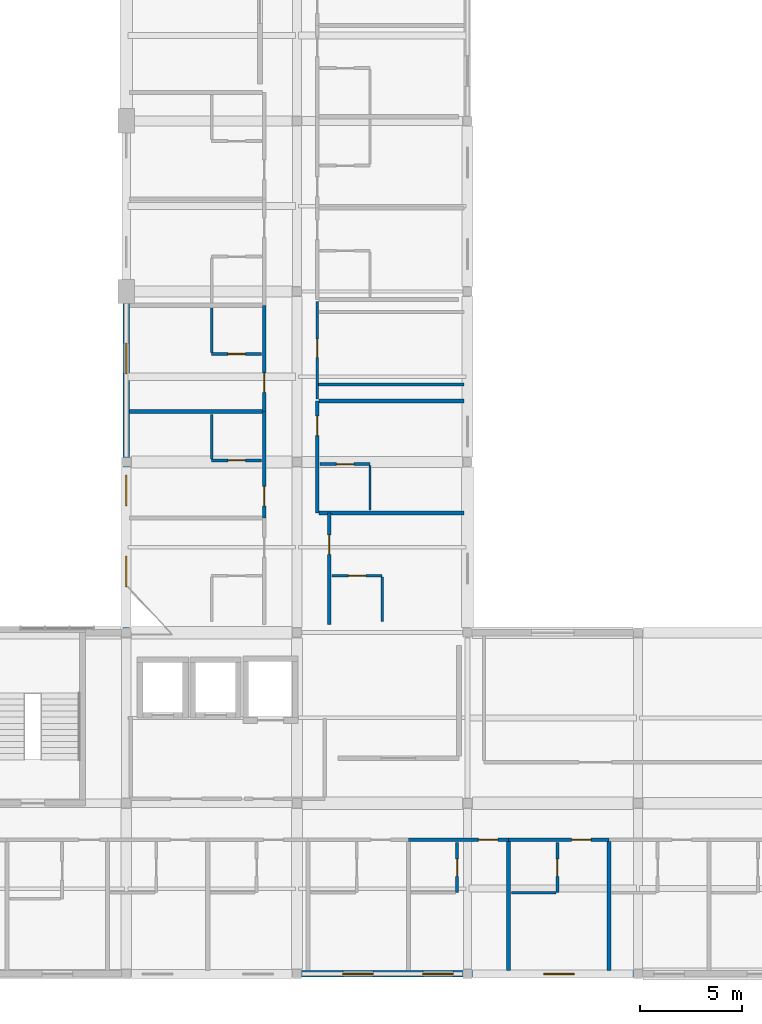
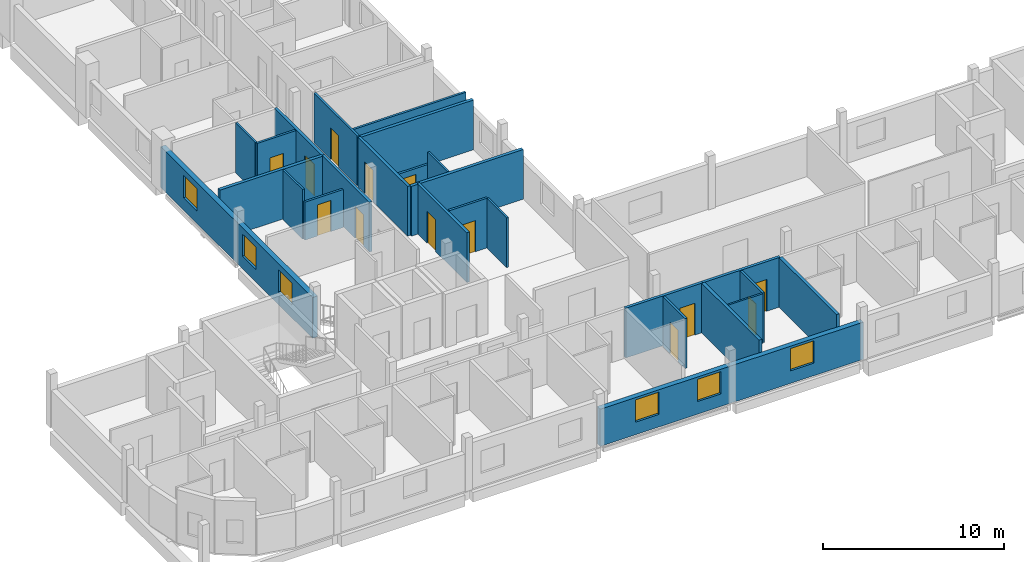
# One storey, part 11 of 19: 26 walls, 13 doors, 6 windows, 19 openings.
"""IFC4 building model written with IfcOpenShell, lengths in metres."""

import ifcopenshell
import ifcopenshell.guid

model = None  # the IFC model being written
_history = None  # IfcOwnerHistory: only IFC2X3 demands one
_inside = {}  # id of a spatial element -> (the spatial element, [elements in it])
_under = {}  # id of a project, library or spatial element -> (it, [spatial elements below it])
_declared = {}  # id of a project -> (the project, [libraries it declares])
_typed = {}  # id of a type object -> (the type object, [elements of that type])
_made_of = {}  # id of a material, layer set ... -> (it, [elements and type objects made of it])


def new_model(schema):
    """Start an empty IFC model of exactly this schema.

    Asked for "IFC4X3", IfcOpenShell would pick the latest addendum, in which some entities
    have other attributes; the version numbers below select the first issue.
    IFC2X3 requires an IfcOwnerHistory on every rooted entity: one is made here for all.
    """
    global model, _history
    if schema == "IFC4X3":
        model = ifcopenshell.file(schema_version=(4, 3, 0, 0))
    else:
        model = ifcopenshell.file(schema=schema)
    _inside.clear()
    _under.clear()
    _declared.clear()
    _typed.clear()
    _made_of.clear()
    _history = None
    if model.schema == "IFC2X3":
        org = make("IfcOrganization", Name="unknown")
        user = make(
            "IfcPersonAndOrganization",
            ThePerson=make("IfcPerson", FamilyName="unknown"),
            TheOrganization=org,
        )
        app = make(
            "IfcApplication",
            ApplicationDeveloper=org,
            Version="unknown",
            ApplicationFullName="unknown",
            ApplicationIdentifier="unknown",
        )
        _history = make(
            "IfcOwnerHistory",
            OwningUser=user,
            OwningApplication=app,
            ChangeAction="ADDED",
            CreationDate=0,
        )
    return model


def make(cls, **values):
    """One entity of the class cls with the attributes given. An attribute that is None is left unset."""
    return model.create_entity(
        cls, **{name: value for name, value in values.items() if value is not None}
    )


def rooted(cls, **values):
    """An entity with a GlobalId (a new one), such as an element, a storey or a relation."""
    return make(cls, GlobalId=ifcopenshell.guid.new(), OwnerHistory=_history, **values)


def si_unit(unit_type, name, prefix=None):
    """IfcSIUnit, for example si_unit("LENGTHUNIT", "METRE", prefix="MILLI")."""
    return make("IfcSIUnit", UnitType=unit_type, Prefix=prefix, Name=name)


def derived_unit(unit_type, elements):
    """IfcDerivedUnit: a product of units, each with its exponent."""
    return make(
        "IfcDerivedUnit",
        Elements=[
            make("IfcDerivedUnitElement", Unit=unit, Exponent=power)
            for unit, power in elements
        ],
        UnitType=unit_type,
    )


def assignment(units):
    """IfcUnitAssignment: the units of a project."""
    return None if units is None else make("IfcUnitAssignment", Units=units)


def point(xyz):
    """IfcCartesianPoint."""
    return None if xyz is None else make("IfcCartesianPoint", Coordinates=xyz)


def direction(xyz):
    """IfcDirection."""
    return None if xyz is None else make("IfcDirection", DirectionRatios=xyz)


def frame(location, z_axis=None, x_axis=None):
    """IfcAxis2Placement3D, a coordinate frame: its origin and axes. An axis left out is left unset."""
    return make(
        "IfcAxis2Placement3D",
        Location=point(location),
        Axis=direction(z_axis),
        RefDirection=direction(x_axis),
    )


def frame_2d(location, x_axis=None):
    """IfcAxis2Placement2D, a coordinate frame in the plane: its origin and x axis."""
    return make(
        "IfcAxis2Placement2D", Location=point(location), RefDirection=direction(x_axis)
    )


def origin():
    """The frame at (0, 0, 0) with its axes left unset."""
    return frame((0.0, 0.0, 0.0))


def place(relative_to, where):
    """IfcLocalPlacement: puts the frame where relative to a parent placement (None: the world)."""
    return make(
        "IfcLocalPlacement", PlacementRelTo=relative_to, RelativePlacement=where
    )


def context(
    kind, dimensions, precision=None, world=None, true_north=None, identifier=None
):
    """IfcGeometricRepresentationContext, for example the 3D "Model" context."""
    return make(
        "IfcGeometricRepresentationContext",
        ContextIdentifier=identifier,
        ContextType=kind,
        CoordinateSpaceDimension=dimensions,
        Precision=precision,
        WorldCoordinateSystem=world,
        TrueNorth=true_north,
    )


def subcontext(parent, identifier, kind, view, scale=None):
    """IfcGeometricRepresentationSubContext, for example "Body" below "Model"."""
    return make(
        "IfcGeometricRepresentationSubContext",
        ContextIdentifier=identifier,
        ContextType=kind,
        ParentContext=parent,
        TargetScale=scale,
        TargetView=view,
    )


def project(units=None, contexts=None):
    """IfcProject with its units and contexts."""
    return rooted(
        "IfcProject",
        Name="project",
        RepresentationContexts=contexts,
        UnitsInContext=assignment(units),
    )


def spatial(cls, under=None, at=None, **own):
    """A site, building, storey or space (cls), placed at a placement, below another one or the project."""
    s = rooted(cls, ObjectPlacement=at, **own)
    if under is not None:
        _under.setdefault(under.id(), (under, []))[1].append(s)
    return s


def profile(cls, at=None, kind="AREA", **sizes):
    """A parametric profile (cls). Its sizes go by their IFC names, for example OverallWidth=200.0."""
    return make(cls, ProfileType=kind, Position=at, **sizes)


def rectangle(**sizes):
    """IfcRectangleProfileDef."""
    return profile("IfcRectangleProfileDef", **sizes)


def extrude(swept, where, along, depth):
    """IfcExtrudedAreaSolid: the profile swept, set in the frame where, extruded along a direction by depth."""
    return make(
        "IfcExtrudedAreaSolid",
        SweptArea=swept,
        Position=where,
        ExtrudedDirection=direction(along),
        Depth=depth,
    )


def shape(context_of_items, identifier, shape_type, items):
    """IfcShapeRepresentation: the items that make up one representation, for example the "Body"."""
    return make(
        "IfcShapeRepresentation",
        ContextOfItems=context_of_items,
        RepresentationIdentifier=identifier,
        RepresentationType=shape_type,
        Items=items,
    )


def material(Name=None, Category=None):
    """IfcMaterial."""
    return make("IfcMaterial", Name=Name, Category=Category)


def layer(
    of_material, thickness, ventilated=None, Name=None, Category=None, Priority=None
):
    """IfcMaterialLayer: one layer of a wall or slab, of a material (None: an air gap)."""
    return make(
        "IfcMaterialLayer",
        Material=of_material,
        LayerThickness=thickness,
        IsVentilated=ventilated,
        Name=Name,
        Category=Category,
        Priority=Priority,
    )


def layer_set(layers, Name=None):
    """IfcMaterialLayerSet."""
    return make("IfcMaterialLayerSet", MaterialLayers=layers, LayerSetName=Name)


def made_of(thing, what):
    """Note that an element or type object is made of a material, layer set ...; save() writes the relation."""
    if what is not None:
        _made_of.setdefault(what.id(), (what, []))[1].append(thing)
    return thing


def type_object(cls, material=None, **own):
    """A type object (cls), such as IfcWallType, which elements share."""
    return made_of(rooted(cls, **own), material)


def element(
    cls,
    number,
    at=None,
    inside=None,
    cuts=None,
    type_object=None,
    material=None,
    context=None,
    identifier="Body",
    shape_type=None,
    held_by="IfcProductDefinitionShape",
    body=None,
    shapes=None,
    **own,
):
    """One element of the class cls, such as IfcWall. Its Tag is "e" and its number.

    at: its placement. inside: the storey or other place that contains it. cuts: it is an
    opening in that element (IfcRelVoidsElement). A single representation is given by context,
    identifier, shape_type and body (its items); several are given by shapes. held_by: the class
    of the entity that holds the representations. save() writes the other relations.
    """
    e = rooted(cls, Tag="e%d" % number, ObjectPlacement=at, **own)
    if body is not None:
        shapes = [shape(context, identifier, shape_type, body)]
    if shapes is not None:
        e.Representation = make(held_by, Representations=shapes)
    if inside is not None:
        _inside.setdefault(inside.id(), (inside, []))[1].append(e)
    if cuts is not None:
        rooted(
            "IfcRelVoidsElement", RelatingBuildingElement=cuts, RelatedOpeningElement=e
        )
    if type_object is not None:
        _typed.setdefault(type_object.id(), (type_object, []))[1].append(e)
    return made_of(e, material)


def fill(opening, filler):
    """IfcRelFillsElement: the door or window that sits in an opening."""
    return rooted(
        "IfcRelFillsElement",
        RelatingOpeningElement=opening,
        RelatedBuildingElement=filler,
    )


def aggregate(whole, parts):
    """IfcRelAggregates: a whole, such as a stair, and the parts it consists of."""
    return rooted("IfcRelAggregates", RelatingObject=whole, RelatedObjects=parts)


def save(model, path):
    """Write the relations noted so far, then the file.

    IfcRelAggregates (storeys below a building ...), IfcRelContainedInSpatialStructure (elements
    in a storey), IfcRelDefinesByType, IfcRelAssociatesMaterial and IfcRelDeclares: one each for
    every whole, place, type object, material and project.
    """
    for whole, parts in _under.values():
        aggregate(whole, parts)
    for where, things in _inside.values():
        rooted(
            "IfcRelContainedInSpatialStructure",
            RelatedElements=things,
            RelatingStructure=where,
        )
    for kind, things in _typed.values():
        rooted("IfcRelDefinesByType", RelatedObjects=things, RelatingType=kind)
    for what, things in _made_of.values():
        rooted("IfcRelAssociatesMaterial", RelatedObjects=things, RelatingMaterial=what)
    for by, libraries in _declared.values():
        rooted("IfcRelDeclares", RelatingContext=by, RelatedDefinitions=libraries)
    model.write(path)


model = new_model("IFC4")

# Units and contexts
model_context = context("Model", 3, precision=1e-05, world=origin(), true_north=direction((0.0, 1.0)))
body_context = subcontext(model_context, "Body", "Model", "MODEL_VIEW")
ifc_project = project(units=[si_unit("LENGTHUNIT", "METRE"), si_unit("AREAUNIT", "SQUARE_METRE"), si_unit("VOLUMEUNIT", "CUBIC_METRE"), si_unit("PLANEANGLEUNIT", "RADIAN"), si_unit("MASSUNIT", "GRAM", prefix="KILO"), derived_unit("THERMALTRANSMITTANCEUNIT", [(si_unit("POWERUNIT", "WATT"), 1), (si_unit("LENGTHUNIT", "METRE"), -2), (si_unit("THERMODYNAMICTEMPERATUREUNIT", "KELVIN"), -1)])], contexts=[model_context])

# Site, building, storey
site_placement = place(None, origin())
site = spatial("IfcSite", under=ifc_project, at=site_placement, CompositionType="ELEMENT")
building_placement = place(site_placement, origin())
building = spatial("IfcBuilding", under=site, at=building_placement, Name="Barrovel Congress Hotel", CompositionType="ELEMENT")
storey_placement = place(building_placement, frame((0.0, 0.0, 43.5)))
storey = spatial("IfcBuildingStorey", under=building, at=storey_placement, Name="L11", CompositionType="ELEMENT", Elevation=43.5)

# Wall, openings, windows
ifc_material_1 = material(Name="Fired Clay Brick Masonry", Category="masonry")
ifc_layer_1 = layer(ifc_material_1, 0.320068359375)
ifc_layer_set_1 = layer_set([ifc_layer_1], Name="Fired Clay Brick Masonry")
wall_type_1 = type_object("IfcWallType", Name="EW-BRK320", PredefinedType="STANDARD", material=ifc_layer_set_1)
wall_1_placement = place(storey_placement, frame((42.0, 4.199951171875, 0.0), z_axis=(0.0, 0.0, 1.0), x_axis=(1.0, 0.0, 0.0)))
wall_1 = element("IfcWall", 1, at=wall_1_placement, inside=storey, type_object=wall_type_1, Name="EW:L11:HS-S", PredefinedType="STANDARD", context=body_context, shape_type="SweptSolid", body=[
    extrude(rectangle(XDim=16.800048828125, YDim=0.320068359375, at=frame_2d((8.39990234375, 0.0))), origin(), (0.0, 0.0, 1.0), 2.510009765625),
])
opening_1_placement = place(wall_1_placement, frame((2.268798828125, 0.0, 0.85009765625)))
opening_1 = element("IfcOpeningElement", 2, at=opening_1_placement, cuts=wall_1, Name="Opening WN-07", PredefinedType="OPENING", context=body_context, shape_type="SweptSolid", body=[
    extrude(rectangle(XDim=1.5, YDim=1.5, at=frame_2d((0.75, 0.75))), frame((0.0, 0.169921875, 0.0), z_axis=(0.0, -1.0, 0.0), x_axis=(1.0, 0.0, 0.0)), (0.0, 0.0, 1.0), 0.340087890625),
])
opening_2_placement = place(wall_1_placement, frame((6.206298828125, 0.0, 0.85009765625)))
opening_2 = element("IfcOpeningElement", 3, at=opening_2_placement, cuts=wall_1, Name="Opening WN-07", PredefinedType="OPENING", context=body_context, shape_type="SweptSolid", body=[
    extrude(rectangle(XDim=1.5, YDim=1.5, at=frame_2d((0.75, 0.75))), frame((0.0, 0.169921875, 0.0), z_axis=(0.0, -1.0, 0.0), x_axis=(1.0, 0.0, 0.0)), (0.0, 0.0, 1.0), 0.340087890625),
])
opening_3_placement = place(wall_1_placement, frame((12.143798828125, 0.0, 0.85009765625)))
opening_3 = element("IfcOpeningElement", 4, at=opening_3_placement, cuts=wall_1, Name="Opening WN-07", PredefinedType="OPENING", context=body_context, shape_type="SweptSolid", body=[
    extrude(rectangle(XDim=1.5, YDim=1.5, at=frame_2d((0.75, 0.75))), frame((0.0, 0.169921875, 0.0), z_axis=(0.0, -1.0, 0.0), x_axis=(1.0, 0.0, 0.0)), (0.0, 0.0, 1.0), 0.340087890625),
])
ifc_material_2 = material(Name="Double Low-E Insulated Glazing", Category="glass")
window_type = type_object("IfcWindowType", Name="WIN-WN-07", PartitioningType="SINGLE_PANEL", PredefinedType="WINDOW", material=ifc_material_2)
window_1_placement = place(opening_1_placement, origin())
window_1 = element("IfcWindow", 5, at=window_1_placement, inside=storey, type_object=window_type, Name="WIN:L11:U06", OverallHeight=1.5, OverallWidth=1.5, PartitioningType="SINGLE_PANEL", PredefinedType="WINDOW", context=body_context, shape_type="SweptSolid", body=[
    extrude(rectangle(XDim=1.5, YDim=1.5, at=frame_2d((0.75, 0.75))), frame((0.0, 0.030029296875, 0.0), z_axis=(0.0, -1.0, 0.0), x_axis=(1.0, 0.0, 0.0)), (0.0, 0.0, 1.0), 0.06005859375),
])
fill(opening_1, window_1)
window_2_placement = place(opening_2_placement, origin())
window_2 = element("IfcWindow", 6, at=window_2_placement, inside=storey, type_object=window_type, Name="WIN:L11:U07", OverallHeight=1.5, OverallWidth=1.5, PartitioningType="SINGLE_PANEL", PredefinedType="WINDOW", context=body_context, shape_type="SweptSolid", body=[
    extrude(rectangle(XDim=1.5, YDim=1.5, at=frame_2d((0.75, 0.75))), frame((0.0, 0.030029296875, 0.0), z_axis=(0.0, -1.0, 0.0), x_axis=(1.0, 0.0, 0.0)), (0.0, 0.0, 1.0), 0.06005859375),
])
fill(opening_2, window_2)
window_3_placement = place(opening_3_placement, origin())
window_3 = element("IfcWindow", 7, at=window_3_placement, inside=storey, type_object=window_type, Name="WIN:L11:U08", OverallHeight=1.5, OverallWidth=1.5, PartitioningType="SINGLE_PANEL", PredefinedType="WINDOW", context=body_context, shape_type="SweptSolid", body=[
    extrude(rectangle(XDim=1.5, YDim=1.5, at=frame_2d((0.75, 0.75))), frame((0.0, 0.030029296875, 0.0), z_axis=(0.0, -1.0, 0.0), x_axis=(1.0, 0.0, 0.0)), (0.0, 0.0, 1.0), 0.06005859375),
])
fill(opening_3, window_3)

wall_2_placement = place(storey_placement, frame((33.60009765625, 37.800048828125, 0.0), z_axis=(0.0, 0.0, 1.0), x_axis=(0.0, -1.0, 0.0)))
wall_2 = element("IfcWall", 8, at=wall_2_placement, inside=storey, type_object=wall_type_1, Name="EW:L11:HW-W", PredefinedType="STANDARD", context=body_context, shape_type="SweptSolid", body=[
    extrude(rectangle(XDim=16.800048828125, YDim=0.320068359375, at=frame_2d((8.39990234375, 0.0))), origin(), (0.0, 0.0, 1.0), 2.760009765625),
])
opening_4_placement = place(wall_2_placement, frame((13.030029296875, 0.0, 0.85009765625)))
opening_4 = element("IfcOpeningElement", 9, at=opening_4_placement, cuts=wall_2, Name="Opening WN-07", PredefinedType="OPENING", context=body_context, shape_type="SweptSolid", body=[
    extrude(rectangle(XDim=1.5, YDim=1.5, at=frame_2d((0.75, 0.75))), frame((0.0, 0.169921875, 0.0), z_axis=(0.0, -1.0, 0.0), x_axis=(1.0, 0.0, 0.0)), (0.0, 0.0, 1.0), 0.340087890625),
])
opening_5_placement = place(wall_2_placement, frame((9.0400390625, 0.0, 0.85009765625)))
opening_5 = element("IfcOpeningElement", 10, at=opening_5_placement, cuts=wall_2, Name="Opening WN-07", PredefinedType="OPENING", context=body_context, shape_type="SweptSolid", body=[
    extrude(rectangle(XDim=1.5, YDim=1.5, at=frame_2d((0.75, 0.75))), frame((0.0, 0.169921875, 0.0), z_axis=(0.0, -1.0, 0.0), x_axis=(1.0, 0.0, 0.0)), (0.0, 0.0, 1.0), 0.340087890625),
])
opening_6_placement = place(wall_2_placement, frame((2.550048828125, 0.0, 0.85009765625)))
opening_6 = element("IfcOpeningElement", 11, at=opening_6_placement, cuts=wall_2, Name="Opening WN-07", PredefinedType="OPENING", context=body_context, shape_type="SweptSolid", body=[
    extrude(rectangle(XDim=1.5, YDim=1.5, at=frame_2d((0.75, 0.75))), frame((0.0, 0.169921875, 0.0), z_axis=(0.0, -1.0, 0.0), x_axis=(1.0, 0.0, 0.0)), (0.0, 0.0, 1.0), 0.340087890625),
])
window_4_placement = place(opening_4_placement, origin())
window_4 = element("IfcWindow", 12, at=window_4_placement, inside=storey, type_object=window_type, Name="WIN:L11:U18", OverallHeight=1.5, OverallWidth=1.5, PartitioningType="SINGLE_PANEL", PredefinedType="WINDOW", context=body_context, shape_type="SweptSolid", body=[
    extrude(rectangle(XDim=1.5, YDim=1.5, at=frame_2d((0.75, 0.75))), frame((0.0, 0.030029296875, 0.0), z_axis=(0.0, -1.0, 0.0), x_axis=(1.0, 0.0, 0.0)), (0.0, 0.0, 1.0), 0.06005859375),
])
fill(opening_4, window_4)
window_5_placement = place(opening_5_placement, origin())
window_5 = element("IfcWindow", 13, at=window_5_placement, inside=storey, type_object=window_type, Name="WIN:L11:U19", OverallHeight=1.5, OverallWidth=1.5, PartitioningType="SINGLE_PANEL", PredefinedType="WINDOW", context=body_context, shape_type="SweptSolid", body=[
    extrude(rectangle(XDim=1.5, YDim=1.5, at=frame_2d((0.75, 0.75))), frame((0.0, 0.030029296875, 0.0), z_axis=(0.0, -1.0, 0.0), x_axis=(1.0, 0.0, 0.0)), (0.0, 0.0, 1.0), 0.06005859375),
])
fill(opening_5, window_5)
window_6_placement = place(opening_6_placement, origin())
window_6 = element("IfcWindow", 14, at=window_6_placement, inside=storey, type_object=window_type, Name="WIN:L11:U20", OverallHeight=1.5, OverallWidth=1.5, PartitioningType="SINGLE_PANEL", PredefinedType="WINDOW", context=body_context, shape_type="SweptSolid", body=[
    extrude(rectangle(XDim=1.5, YDim=1.5, at=frame_2d((0.75, 0.75))), frame((0.0, 0.030029296875, 0.0), z_axis=(0.0, -1.0, 0.0), x_axis=(1.0, 0.0, 0.0)), (0.0, 0.0, 1.0), 0.06005859375),
])
fill(opening_6, window_6)

# Wall, opening, door
ifc_material_3 = material(Name="Gypsum Acoustic Stud", Category="gypsum")
ifc_layer_2 = layer(ifc_material_3, 0.179931640625)
ifc_layer_set_2 = layer_set([ifc_layer_2], Name="Gypsum Acoustic Stud")
wall_type_2 = type_object("IfcWallType", Name="PW-ACU-180", PredefinedType="PARTITIONING", material=ifc_layer_set_2)
wall_3_placement = place(storey_placement, frame((47.487548828125, 10.800048828125, 0.0), z_axis=(0.0, 0.0, 1.0), x_axis=(1.0, 0.0, 0.0)))
wall_3 = element("IfcWall", 15, at=wall_3_placement, inside=storey, type_object=wall_type_2, Name="PW:L11:U07:COR", PredefinedType="PARTITIONING", context=body_context, shape_type="SweptSolid", body=[
    extrude(rectangle(XDim=4.9375, YDim=0.179931640625, at=frame_2d((2.46875, 0.0))), origin(), (0.0, 0.0, 1.0), 3.35498046875),
])
opening_7_placement = place(wall_3_placement, frame((3.4482421875, 0.0, 0.0)))
opening_7 = element("IfcOpeningElement", 16, at=opening_7_placement, cuts=wall_3, Name="Opening ID-HTL", PredefinedType="OPENING", context=body_context, shape_type="SweptSolid", body=[
    extrude(rectangle(XDim=0.9599609375, YDim=2.14990234375, at=frame_2d((0.47998046875, 1.074951171875))), frame((0.0, 0.10009765625, 0.0), z_axis=(0.0, -1.0, 0.0), x_axis=(1.0, 0.0, 0.0)), (0.0, 0.0, 1.0), 0.199951171875),
])
ifc_material_4 = material(Name="Solid Oak Acoustic Timber Door", Category="wood")
door_type_1 = type_object("IfcDoorType", Name="IDR-ID-HTL", OperationType="NOTDEFINED", PredefinedType="DOOR", material=ifc_material_4)
door_1_placement = place(opening_7_placement, origin())
door_1 = element("IfcDoor", 17, at=door_1_placement, inside=storey, type_object=door_type_1, Name="DR:L11:U07:ENT", OperationType="SINGLE_SWING_RIGHT", OverallHeight=2.14990234375, OverallWidth=0.9599609375, PredefinedType="DOOR", context=body_context, shape_type="SweptSolid", body=[
    extrude(rectangle(XDim=0.9599609375, YDim=2.14990234375, at=frame_2d((0.47998046875, 1.074951171875))), frame((0.0, 0.02490234375, 0.0), z_axis=(0.0, -1.0, 0.0), x_axis=(1.0, 0.0, 0.0)), (0.0, 0.0, 1.0), 0.050048828125),
])
fill(opening_7, door_1)

wall_4_placement = place(storey_placement, frame((52.425048828125, 10.800048828125, 0.0), z_axis=(0.0, 0.0, 1.0), x_axis=(1.0, 0.0, 0.0)))
wall_4 = element("IfcWall", 18, at=wall_4_placement, inside=storey, type_object=wall_type_2, Name="PW:L11:U08:COR", PredefinedType="PARTITIONING", context=body_context, shape_type="SweptSolid", body=[
    extrude(rectangle(XDim=4.9375, YDim=0.179931640625, at=frame_2d((2.46875, 0.0))), origin(), (0.0, 0.0, 1.0), 3.35498046875),
])
opening_8_placement = place(wall_4_placement, frame((3.09814453125, 0.0, 0.0)))
opening_8 = element("IfcOpeningElement", 19, at=opening_8_placement, cuts=wall_4, Name="Opening ID-HTL", PredefinedType="OPENING", context=body_context, shape_type="SweptSolid", body=[
    extrude(rectangle(XDim=0.9599609375, YDim=2.14990234375, at=frame_2d((0.47998046875, 1.074951171875))), frame((0.0, 0.10009765625, 0.0), z_axis=(0.0, -1.0, 0.0), x_axis=(1.0, 0.0, 0.0)), (0.0, 0.0, 1.0), 0.199951171875),
])
door_2_placement = place(opening_8_placement, origin())
door_2 = element("IfcDoor", 20, at=door_2_placement, inside=storey, type_object=door_type_1, Name="DR:L11:U08:ENT", OperationType="SINGLE_SWING_RIGHT", OverallHeight=2.14990234375, OverallWidth=0.9599609375, PredefinedType="DOOR", context=body_context, shape_type="SweptSolid", body=[
    extrude(rectangle(XDim=0.9599609375, YDim=2.14990234375, at=frame_2d((0.47998046875, 1.074951171875))), frame((0.0, 0.02490234375, 0.0), z_axis=(0.0, -1.0, 0.0), x_axis=(1.0, 0.0, 0.0)), (0.0, 0.0, 1.0), 0.050048828125),
])
fill(opening_8, door_2)

wall_5_placement = place(storey_placement, frame((40.39990234375, 26.639892578125, 0.0), z_axis=(0.0, 0.0, 1.0), x_axis=(0.0, 1.0, 0.0)))
wall_5 = element("IfcWall", 21, at=wall_5_placement, inside=storey, type_object=wall_type_2, Name="PW:L11:U19:COR", PredefinedType="PARTITIONING", context=body_context, shape_type="SweptSolid", body=[
    extrude(rectangle(XDim=5.239990234375, YDim=0.179931640625, at=frame_2d((2.6201171875, 0.0))), origin(), (0.0, 0.0, 1.0), 3.35498046875),
])
opening_9_placement = place(wall_5_placement, frame((0.60498046875, 0.0, 0.0)))
opening_9 = element("IfcOpeningElement", 22, at=opening_9_placement, cuts=wall_5, Name="Opening ID-HTL", PredefinedType="OPENING", context=body_context, shape_type="SweptSolid", body=[
    extrude(rectangle(XDim=0.9599609375, YDim=2.14990234375, at=frame_2d((0.47998046875, 1.074951171875))), frame((0.0, 0.10009765625, 0.0), z_axis=(0.0, -1.0, 0.0), x_axis=(1.0, 0.0, 0.0)), (0.0, 0.0, 1.0), 0.199951171875),
])
door_3_placement = place(opening_9_placement, origin())
door_3 = element("IfcDoor", 23, at=door_3_placement, inside=storey, type_object=door_type_1, Name="DR:L11:U19:ENT", OperationType="SINGLE_SWING_RIGHT", OverallHeight=2.14990234375, OverallWidth=0.9599609375, PredefinedType="DOOR", context=body_context, shape_type="SweptSolid", body=[
    extrude(rectangle(XDim=0.9599609375, YDim=2.14990234375, at=frame_2d((0.47998046875, 1.074951171875))), frame((0.0, 0.02490234375, 0.0), z_axis=(0.0, -1.0, 0.0), x_axis=(1.0, 0.0, 0.0)), (0.0, 0.0, 1.0), 0.050048828125),
])
fill(opening_9, door_3)

wall_6_placement = place(storey_placement, frame((40.39990234375, 31.8798828125, 0.0), z_axis=(0.0, 0.0, 1.0), x_axis=(0.0, 1.0, 0.0)))
wall_6 = element("IfcWall", 24, at=wall_6_placement, inside=storey, type_object=wall_type_2, Name="PW:L11:U20:COR", PredefinedType="PARTITIONING", context=body_context, shape_type="SweptSolid", body=[
    extrude(rectangle(XDim=5.240234375, YDim=0.179931640625, at=frame_2d((2.6201171875, 0.0))), origin(), (0.0, 0.0, 1.0), 3.35498046875),
])
opening_10_placement = place(wall_6_placement, frame((0.955078125, 0.0, 0.0)))
opening_10 = element("IfcOpeningElement", 25, at=opening_10_placement, cuts=wall_6, Name="Opening ID-HTL", PredefinedType="OPENING", context=body_context, shape_type="SweptSolid", body=[
    extrude(rectangle(XDim=0.9599609375, YDim=2.14990234375, at=frame_2d((0.47998046875, 1.074951171875))), frame((0.0, 0.10009765625, 0.0), z_axis=(0.0, -1.0, 0.0), x_axis=(1.0, 0.0, 0.0)), (0.0, 0.0, 1.0), 0.199951171875),
])
door_4_placement = place(opening_10_placement, origin())
door_4 = element("IfcDoor", 26, at=door_4_placement, inside=storey, type_object=door_type_1, Name="DR:L11:U20:ENT", OperationType="SINGLE_SWING_RIGHT", OverallHeight=2.14990234375, OverallWidth=0.9599609375, PredefinedType="DOOR", context=body_context, shape_type="SweptSolid", body=[
    extrude(rectangle(XDim=0.9599609375, YDim=2.14990234375, at=frame_2d((0.47998046875, 1.074951171875))), frame((0.0, 0.02490234375, 0.0), z_axis=(0.0, -1.0, 0.0), x_axis=(1.0, 0.0, 0.0)), (0.0, 0.0, 1.0), 0.050048828125),
])
fill(opening_10, door_4)

wall_7_placement = place(storey_placement, frame((43.60009765625, 21.39990234375, 0.0), z_axis=(0.0, 0.0, 1.0), x_axis=(0.0, 1.0, 0.0)))
wall_7 = element("IfcWall", 27, at=wall_7_placement, inside=storey, type_object=wall_type_2, Name="PW:L11:U23:COR", PredefinedType="PARTITIONING", context=body_context, shape_type="SweptSolid", body=[
    extrude(rectangle(XDim=5.5, YDim=0.179931640625, at=frame_2d((2.75, 0.0))), origin(), (0.0, 0.0, 1.0), 3.35498046875),
])
opening_11_placement = place(wall_7_placement, frame((3.455078125, 0.0, 0.0)))
opening_11 = element("IfcOpeningElement", 28, at=opening_11_placement, cuts=wall_7, Name="Opening ID-HTL", PredefinedType="OPENING", context=body_context, shape_type="SweptSolid", body=[
    extrude(rectangle(XDim=0.9599609375, YDim=2.14990234375, at=frame_2d((0.47998046875, 1.074951171875))), frame((0.0, 0.10009765625, 0.0), z_axis=(0.0, -1.0, 0.0), x_axis=(1.0, 0.0, 0.0)), (0.0, 0.0, 1.0), 0.199951171875),
])
door_5_placement = place(opening_11_placement, origin())
door_5 = element("IfcDoor", 29, at=door_5_placement, inside=storey, type_object=door_type_1, Name="DR:L11:U23:ENT", OperationType="SINGLE_SWING_RIGHT", OverallHeight=2.14990234375, OverallWidth=0.9599609375, PredefinedType="DOOR", context=body_context, shape_type="SweptSolid", body=[
    extrude(rectangle(XDim=0.9599609375, YDim=2.14990234375, at=frame_2d((0.47998046875, 1.074951171875))), frame((0.0, 0.02490234375, 0.0), z_axis=(0.0, -1.0, 0.0), x_axis=(1.0, 0.0, 0.0)), (0.0, 0.0, 1.0), 0.050048828125),
])
fill(opening_11, door_5)

wall_8_placement = place(storey_placement, frame((43.0, 26.89990234375, 0.0), z_axis=(0.0, 0.0, 1.0), x_axis=(0.0, 1.0, 0.0)))
wall_8 = element("IfcWall", 30, at=wall_8_placement, inside=storey, type_object=wall_type_2, Name="PW:L11:U24:COR", PredefinedType="PARTITIONING", context=body_context, shape_type="SweptSolid", body=[
    extrude(rectangle(XDim=5.5, YDim=0.179931640625, at=frame_2d((2.75, 0.0))), origin(), (0.0, 0.0, 1.0), 3.35498046875),
])
opening_12_placement = place(wall_8_placement, frame((3.804931640625, 0.0, 0.0)))
opening_12 = element("IfcOpeningElement", 31, at=opening_12_placement, cuts=wall_8, Name="Opening ID-HTL", PredefinedType="OPENING", context=body_context, shape_type="SweptSolid", body=[
    extrude(rectangle(XDim=0.9599609375, YDim=2.14990234375, at=frame_2d((0.47998046875, 1.074951171875))), frame((0.0, 0.10009765625, 0.0), z_axis=(0.0, -1.0, 0.0), x_axis=(1.0, 0.0, 0.0)), (0.0, 0.0, 1.0), 0.199951171875),
])
door_6_placement = place(opening_12_placement, origin())
door_6 = element("IfcDoor", 32, at=door_6_placement, inside=storey, type_object=door_type_1, Name="DR:L11:U24:ENT", OperationType="SINGLE_SWING_RIGHT", OverallHeight=2.14990234375, OverallWidth=0.9599609375, PredefinedType="DOOR", context=body_context, shape_type="SweptSolid", body=[
    extrude(rectangle(XDim=0.9599609375, YDim=2.14990234375, at=frame_2d((0.47998046875, 1.074951171875))), frame((0.0, 0.02490234375, 0.0), z_axis=(0.0, -1.0, 0.0), x_axis=(1.0, 0.0, 0.0)), (0.0, 0.0, 1.0), 0.050048828125),
])
fill(opening_12, door_6)

# Walls
ifc_layer_3 = layer(ifc_material_3, 0.1201171875)
ifc_layer_set_3 = layer_set([ifc_layer_3], Name="Gypsum Acoustic Stud")
wall_type_3 = type_object("IfcWallType", Name="PW-INT-120", PredefinedType="PARTITIONING", material=ifc_layer_set_3)
for number, where, z_axis, x_axis, name in (
    (33, (52.56494140625, 8.199951171875, 0.0), (0.0, 0.0, 1.0), (1.0, 0.0, 0.0), "PW:L11:U08:B2"),
    (34, (37.800048828125, 29.550048828125, 0.0), (0.0, 0.0, 1.0), (0.0, 1.0, 0.0), "PW:L11:U19:B2"),
    (35, (37.800048828125, 34.7900390625, 0.0), (0.0, 0.0, 1.0), (0.0, 1.0, 0.0), "PW:L11:U20:B2"),
    (36, (46.199951171875, 21.5400390625, 0.0), (0.0, 0.0, 1.0), (0.0, 1.0, 0.0), "PW:L11:U23:B2"),
    (37, (45.60009765625, 27.0400390625, 0.0), (0.0, 0.0, 1.0), (0.0, 1.0, 0.0), "PW:L11:U24:B2"),
):
    element("IfcWall", number, at=place(storey_placement, frame(where, z_axis=z_axis, x_axis=x_axis)), inside=storey, type_object=wall_type_3, Name=name, PredefinedType="PARTITIONING", context=body_context, shape_type="SweptSolid", body=[
        extrude(rectangle(XDim=2.18994140625, YDim=0.1201171875, at=frame_2d((1.094970703125, 0.0))), origin(), (0.0, 0.0, 1.0), 3.35498046875),
    ])
ifc_layer_4 = layer(ifc_material_1, 0.199951171875)
ifc_layer_set_4 = layer_set([ifc_layer_4], Name="Fired Clay Brick Masonry")
wall_type_4 = type_object("IfcWallType", Name="PW-MAS-200", PredefinedType="PARTITIONING", material=ifc_layer_set_4)
for number, where, z_axis, x_axis, name in (
    (38, (52.425048828125, 4.360107421875, 0.0), (0.0, 0.0, 1.0), (0.0, 1.0, 0.0), "PW:L11:U07:DEM"),
    (39, (57.362548828125, 4.360107421875, 0.0), (0.0, 0.0, 1.0), (0.0, 1.0, 0.0), "PW:L11:U08:DEM"),
):
    element("IfcWall", number, at=place(storey_placement, frame(where, z_axis=z_axis, x_axis=x_axis)), inside=storey, type_object=wall_type_4, Name=name, PredefinedType="PARTITIONING", context=body_context, shape_type="SweptSolid", body=[
        extrude(rectangle(XDim=6.349853515625, YDim=0.199951171875, at=frame_2d((3.1748046875, 0.0))), origin(), (0.0, 0.0, 1.0), 3.35498046875),
    ])
wall_9_placement = place(storey_placement, frame((33.760009765625, 31.8798828125, 0.0), z_axis=(0.0, 0.0, 1.0), x_axis=(1.0, 0.0, 0.0)))
element("IfcWall", 40, at=wall_9_placement, inside=storey, type_object=wall_type_4, Name="PW:L11:U19:DEM", PredefinedType="PARTITIONING", context=body_context, shape_type="SweptSolid", body=[
    extrude(rectangle(XDim=6.550048828125, YDim=0.199951171875, at=frame_2d((3.27490234375, 0.0))), origin(), (0.0, 0.0, 1.0), 3.35498046875),
])
for number, where, z_axis, x_axis, name in (
    (41, (43.090087890625, 26.89990234375, 0.0), (0.0, 0.0, 1.0), (1.0, 0.0, 0.0), "PW:L11:U23:DEM"),
    (42, (43.090087890625, 32.39990234375, 0.0), (0.0, 0.0, 1.0), (1.0, 0.0, 0.0), "PW:L11:U24:DEM"),
):
    element("IfcWall", number, at=place(storey_placement, frame(where, z_axis=z_axis, x_axis=x_axis)), inside=storey, type_object=wall_type_4, Name=name, PredefinedType="PARTITIONING", context=body_context, shape_type="SweptSolid", body=[
        extrude(rectangle(XDim=7.14990234375, YDim=0.199951171875, at=frame_2d((3.574951171875, 0.0))), origin(), (0.0, 0.0, 1.0), 3.35498046875),
    ])

# Wall, opening, door
ifc_material_5 = material(Name="Gypsum Moisture Board", Category="gypsum")
ifc_layer_5 = layer(ifc_material_5, 0.139892578125)
ifc_layer_set_5 = layer_set([ifc_layer_5], Name="Gypsum Moisture Board")
wall_type_5 = type_object("IfcWallType", Name="PW-WET-140", PredefinedType="PARTITIONING", material=ifc_layer_set_5)
wall_10_placement = place(storey_placement, frame((49.887451171875, 8.199951171875, 0.0), z_axis=(0.0, 0.0, 1.0), x_axis=(0.0, 1.0, 0.0)))
wall_10 = element("IfcWall", 43, at=wall_10_placement, inside=storey, type_object=wall_type_5, Name="PW:L11:U07:B1", PredefinedType="PARTITIONING", context=body_context, shape_type="SweptSolid", body=[
    extrude(rectangle(XDim=2.4599609375, YDim=0.139892578125, at=frame_2d((1.22998046875, 0.0))), origin(), (0.0, 0.0, 1.0), 3.35498046875),
])
opening_13_placement = place(wall_10_placement, frame((0.800048828125, 0.0, 0.0)))
opening_13 = element("IfcOpeningElement", 44, at=opening_13_placement, cuts=wall_10, Name="Opening ID-ENS", PredefinedType="OPENING", context=body_context, shape_type="SweptSolid", body=[
    extrude(rectangle(XDim=0.860107421875, YDim=2.10009765625, at=frame_2d((0.43017578125, 1.050048828125))), frame((0.0, 0.080078125, 0.0), z_axis=(0.0, -1.0, 0.0), x_axis=(1.0, 0.0, 0.0)), (0.0, 0.0, 1.0), 0.159912109375),
])
ifc_material_6 = material(Name="Lacquered Timber Moisture Door", Category="wood")
door_type_2 = type_object("IfcDoorType", Name="IDR-ID-ENS", OperationType="NOTDEFINED", PredefinedType="DOOR", material=ifc_material_6)
door_7_placement = place(opening_13_placement, origin())
door_7 = element("IfcDoor", 45, at=door_7_placement, inside=storey, type_object=door_type_2, Name="DR:L11:U07:ENS", OperationType="SINGLE_SWING_LEFT", OverallHeight=2.10009765625, OverallWidth=0.860107421875, PredefinedType="DOOR", context=body_context, shape_type="SweptSolid", body=[
    extrude(rectangle(XDim=0.860107421875, YDim=2.10009765625, at=frame_2d((0.43017578125, 1.050048828125))), frame((0.0, 0.02490234375, 0.0), z_axis=(0.0, -1.0, 0.0), x_axis=(1.0, 0.0, 0.0)), (0.0, 0.0, 1.0), 0.050048828125),
])
fill(opening_13, door_7)

wall_11_placement = place(storey_placement, frame((54.824951171875, 8.199951171875, 0.0), z_axis=(0.0, 0.0, 1.0), x_axis=(0.0, 1.0, 0.0)))
wall_11 = element("IfcWall", 46, at=wall_11_placement, inside=storey, type_object=wall_type_5, Name="PW:L11:U08:B1", PredefinedType="PARTITIONING", context=body_context, shape_type="SweptSolid", body=[
    extrude(rectangle(XDim=2.4599609375, YDim=0.139892578125, at=frame_2d((1.22998046875, 0.0))), origin(), (0.0, 0.0, 1.0), 3.35498046875),
])
opening_14_placement = place(wall_11_placement, frame((0.800048828125, 0.0, 0.0)))
opening_14 = element("IfcOpeningElement", 47, at=opening_14_placement, cuts=wall_11, Name="Opening ID-ENS", PredefinedType="OPENING", context=body_context, shape_type="SweptSolid", body=[
    extrude(rectangle(XDim=0.860107421875, YDim=2.10009765625, at=frame_2d((0.43017578125, 1.050048828125))), frame((0.0, 0.080078125, 0.0), z_axis=(0.0, -1.0, 0.0), x_axis=(1.0, 0.0, 0.0)), (0.0, 0.0, 1.0), 0.159912109375),
])
door_8_placement = place(opening_14_placement, origin())
door_8 = element("IfcDoor", 48, at=door_8_placement, inside=storey, type_object=door_type_2, Name="DR:L11:U08:ENS", OperationType="SINGLE_SWING_LEFT", OverallHeight=2.10009765625, OverallWidth=0.860107421875, PredefinedType="DOOR", context=body_context, shape_type="SweptSolid", body=[
    extrude(rectangle(XDim=0.860107421875, YDim=2.10009765625, at=frame_2d((0.43017578125, 1.050048828125))), frame((0.0, 0.02490234375, 0.0), z_axis=(0.0, -1.0, 0.0), x_axis=(1.0, 0.0, 0.0)), (0.0, 0.0, 1.0), 0.050048828125),
])
fill(opening_14, door_8)

wall_12_placement = place(storey_placement, frame((37.800048828125, 29.47998046875, 0.0), z_axis=(0.0, 0.0, 1.0), x_axis=(1.0, 0.0, 0.0)))
wall_12 = element("IfcWall", 49, at=wall_12_placement, inside=storey, type_object=wall_type_5, Name="PW:L11:U19:B1", PredefinedType="PARTITIONING", context=body_context, shape_type="SweptSolid", body=[
    extrude(rectangle(XDim=2.4599609375, YDim=0.139892578125, at=frame_2d((1.22998046875, 0.0))), origin(), (0.0, 0.0, 1.0), 2.56005859375),
])
opening_15_placement = place(wall_12_placement, frame((0.800048828125, 0.0, 0.0)))
opening_15 = element("IfcOpeningElement", 50, at=opening_15_placement, cuts=wall_12, Name="Opening ID-ENS", PredefinedType="OPENING", context=body_context, shape_type="SweptSolid", body=[
    extrude(rectangle(XDim=0.860107421875, YDim=2.10009765625, at=frame_2d((0.43017578125, 1.050048828125))), frame((0.0, 0.080078125, 0.0), z_axis=(0.0, -1.0, 0.0), x_axis=(1.0, 0.0, 0.0)), (0.0, 0.0, 1.0), 0.159912109375),
])
door_9_placement = place(opening_15_placement, origin())
door_9 = element("IfcDoor", 51, at=door_9_placement, inside=storey, type_object=door_type_2, Name="DR:L11:U19:ENS", OperationType="SINGLE_SWING_LEFT", OverallHeight=2.10009765625, OverallWidth=0.860107421875, PredefinedType="DOOR", context=body_context, shape_type="SweptSolid", body=[
    extrude(rectangle(XDim=0.860107421875, YDim=2.10009765625, at=frame_2d((0.43017578125, 1.050048828125))), frame((0.0, 0.02490234375, 0.0), z_axis=(0.0, -1.0, 0.0), x_axis=(1.0, 0.0, 0.0)), (0.0, 0.0, 1.0), 0.050048828125),
])
fill(opening_15, door_9)

wall_13_placement = place(storey_placement, frame((37.800048828125, 34.719970703125, 0.0), z_axis=(0.0, 0.0, 1.0), x_axis=(1.0, 0.0, 0.0)))
wall_13 = element("IfcWall", 52, at=wall_13_placement, inside=storey, type_object=wall_type_5, Name="PW:L11:U20:B1", PredefinedType="PARTITIONING", context=body_context, shape_type="SweptSolid", body=[
    extrude(rectangle(XDim=2.4599609375, YDim=0.139892578125, at=frame_2d((1.22998046875, 0.0))), origin(), (0.0, 0.0, 1.0), 3.35498046875),
])
opening_16_placement = place(wall_13_placement, frame((0.800048828125, 0.0, 0.0)))
opening_16 = element("IfcOpeningElement", 53, at=opening_16_placement, cuts=wall_13, Name="Opening ID-ENS", PredefinedType="OPENING", context=body_context, shape_type="SweptSolid", body=[
    extrude(rectangle(XDim=0.860107421875, YDim=2.10009765625, at=frame_2d((0.43017578125, 1.050048828125))), frame((0.0, 0.080078125, 0.0), z_axis=(0.0, -1.0, 0.0), x_axis=(1.0, 0.0, 0.0)), (0.0, 0.0, 1.0), 0.159912109375),
])
door_10_placement = place(opening_16_placement, origin())
door_10 = element("IfcDoor", 54, at=door_10_placement, inside=storey, type_object=door_type_2, Name="DR:L11:U20:ENS", OperationType="SINGLE_SWING_LEFT", OverallHeight=2.10009765625, OverallWidth=0.860107421875, PredefinedType="DOOR", context=body_context, shape_type="SweptSolid", body=[
    extrude(rectangle(XDim=0.860107421875, YDim=2.10009765625, at=frame_2d((0.43017578125, 1.050048828125))), frame((0.0, 0.02490234375, 0.0), z_axis=(0.0, -1.0, 0.0), x_axis=(1.0, 0.0, 0.0)), (0.0, 0.0, 1.0), 0.050048828125),
])
fill(opening_16, door_10)

wall_14_placement = place(storey_placement, frame((43.739990234375, 23.800048828125, 0.0), z_axis=(0.0, 0.0, 1.0), x_axis=(1.0, 0.0, 0.0)))
wall_14 = element("IfcWall", 55, at=wall_14_placement, inside=storey, type_object=wall_type_5, Name="PW:L11:U23:B1", PredefinedType="PARTITIONING", context=body_context, shape_type="SweptSolid", body=[
    extrude(rectangle(XDim=2.4599609375, YDim=0.139892578125, at=frame_2d((1.22998046875, 0.0))), origin(), (0.0, 0.0, 1.0), 3.35498046875),
])
opening_17_placement = place(wall_14_placement, frame((0.800048828125, 0.0, 0.0)))
opening_17 = element("IfcOpeningElement", 56, at=opening_17_placement, cuts=wall_14, Name="Opening ID-ENS", PredefinedType="OPENING", context=body_context, shape_type="SweptSolid", body=[
    extrude(rectangle(XDim=0.860107421875, YDim=2.10009765625, at=frame_2d((0.43017578125, 1.050048828125))), frame((0.0, 0.080078125, 0.0), z_axis=(0.0, -1.0, 0.0), x_axis=(1.0, 0.0, 0.0)), (0.0, 0.0, 1.0), 0.159912109375),
])
door_11_placement = place(opening_17_placement, origin())
door_11 = element("IfcDoor", 57, at=door_11_placement, inside=storey, type_object=door_type_2, Name="DR:L11:U23:ENS", OperationType="SINGLE_SWING_LEFT", OverallHeight=2.10009765625, OverallWidth=0.860107421875, PredefinedType="DOOR", context=body_context, shape_type="SweptSolid", body=[
    extrude(rectangle(XDim=0.860107421875, YDim=2.10009765625, at=frame_2d((0.43017578125, 1.050048828125))), frame((0.0, 0.02490234375, 0.0), z_axis=(0.0, -1.0, 0.0), x_axis=(1.0, 0.0, 0.0)), (0.0, 0.0, 1.0), 0.050048828125),
])
fill(opening_17, door_11)

wall_15_placement = place(storey_placement, frame((43.139892578125, 29.300048828125, 0.0), z_axis=(0.0, 0.0, 1.0), x_axis=(1.0, 0.0, 0.0)))
wall_15 = element("IfcWall", 58, at=wall_15_placement, inside=storey, type_object=wall_type_5, Name="PW:L11:U24:B1", PredefinedType="PARTITIONING", context=body_context, shape_type="SweptSolid", body=[
    extrude(rectangle(XDim=2.460205078125, YDim=0.139892578125, at=frame_2d((1.22998046875, 0.0))), origin(), (0.0, 0.0, 1.0), 2.510009765625),
])
opening_18_placement = place(wall_15_placement, frame((0.800048828125, 0.0, 0.0)))
opening_18 = element("IfcOpeningElement", 59, at=opening_18_placement, cuts=wall_15, Name="Opening ID-ENS", PredefinedType="OPENING", context=body_context, shape_type="SweptSolid", body=[
    extrude(rectangle(XDim=0.860107421875, YDim=2.10009765625, at=frame_2d((0.43017578125, 1.050048828125))), frame((0.0, 0.080078125, 0.0), z_axis=(0.0, -1.0, 0.0), x_axis=(1.0, 0.0, 0.0)), (0.0, 0.0, 1.0), 0.159912109375),
])
door_12_placement = place(opening_18_placement, origin())
door_12 = element("IfcDoor", 60, at=door_12_placement, inside=storey, type_object=door_type_2, Name="DR:L11:U24:ENS", OperationType="SINGLE_SWING_LEFT", OverallHeight=2.10009765625, OverallWidth=0.860107421875, PredefinedType="DOOR", context=body_context, shape_type="SweptSolid", body=[
    extrude(rectangle(XDim=0.860107421875, YDim=2.10009765625, at=frame_2d((0.43017578125, 1.050048828125))), frame((0.0, 0.02490234375, 0.0), z_axis=(0.0, -1.0, 0.0), x_axis=(1.0, 0.0, 0.0)), (0.0, 0.0, 1.0), 0.050048828125),
])
fill(opening_18, door_12)

wall_16_placement = place(storey_placement, frame((43.0, 32.5, 0.0), z_axis=(0.0, 0.0, 1.0), x_axis=(0.0, 1.0, 0.0)))
wall_16 = element("IfcWall", 61, at=wall_16_placement, inside=storey, type_object=wall_type_5, Name="RW:SP:L11:WC-A:W", PredefinedType="PARTITIONING", context=body_context, shape_type="SweptSolid", body=[
    extrude(rectangle(XDim=4.800048828125, YDim=0.139892578125, at=frame_2d((2.39990234375, 0.0))), origin(), (0.0, 0.0, 1.0), 3.35498046875),
])
opening_19_placement = place(wall_16_placement, frame((2.050048828125, 0.0, 0.0)))
opening_19 = element("IfcOpeningElement", 62, at=opening_19_placement, cuts=wall_16, Name="Opening ID-WC1", PredefinedType="OPENING", context=body_context, shape_type="SweptSolid", body=[
    extrude(rectangle(XDim=0.89990234375, YDim=2.1201171875, at=frame_2d((0.449951171875, 1.06005859375))), frame((0.0, 0.080078125, 0.0), z_axis=(0.0, -1.0, 0.0), x_axis=(1.0, 0.0, 0.0)), (0.0, 0.0, 1.0), 0.159912109375),
])
door_type_3 = type_object("IfcDoorType", Name="IDR-ID-WC1", OperationType="NOTDEFINED", PredefinedType="DOOR", material=ifc_material_6)
door_13_placement = place(opening_19_placement, origin())
door_13 = element("IfcDoor", 63, at=door_13_placement, inside=storey, type_object=door_type_3, Name="RD:SP:L11:WC-A", OperationType="SINGLE_SWING_LEFT", OverallHeight=2.1201171875, OverallWidth=0.89990234375, PredefinedType="DOOR", context=body_context, shape_type="SweptSolid", body=[
    extrude(rectangle(XDim=0.89990234375, YDim=2.1201171875, at=frame_2d((0.449951171875, 1.06005859375))), frame((0.0, 0.02490234375, 0.0), z_axis=(0.0, -1.0, 0.0), x_axis=(1.0, 0.0, 0.0)), (0.0, 0.0, 1.0), 0.050048828125),
])
fill(opening_19, door_13)

# Wall
wall_17_placement = place(storey_placement, frame((43.070068359375, 33.219970703125, 0.0), z_axis=(0.0, 0.0, 1.0), x_axis=(1.0, 0.0, 0.0)))
element("IfcWall", 64, at=wall_17_placement, inside=storey, type_object=wall_type_5, Name="RW:SP:L11:WC-A:S", PredefinedType="PARTITIONING", context=body_context, shape_type="SweptSolid", body=[
    extrude(rectangle(XDim=7.169921875, YDim=0.139892578125, at=frame_2d((3.5849609375, 0.0))), origin(), (0.0, 0.0, 1.0), 3.35498046875),
])

save(model, "model.ifc")
